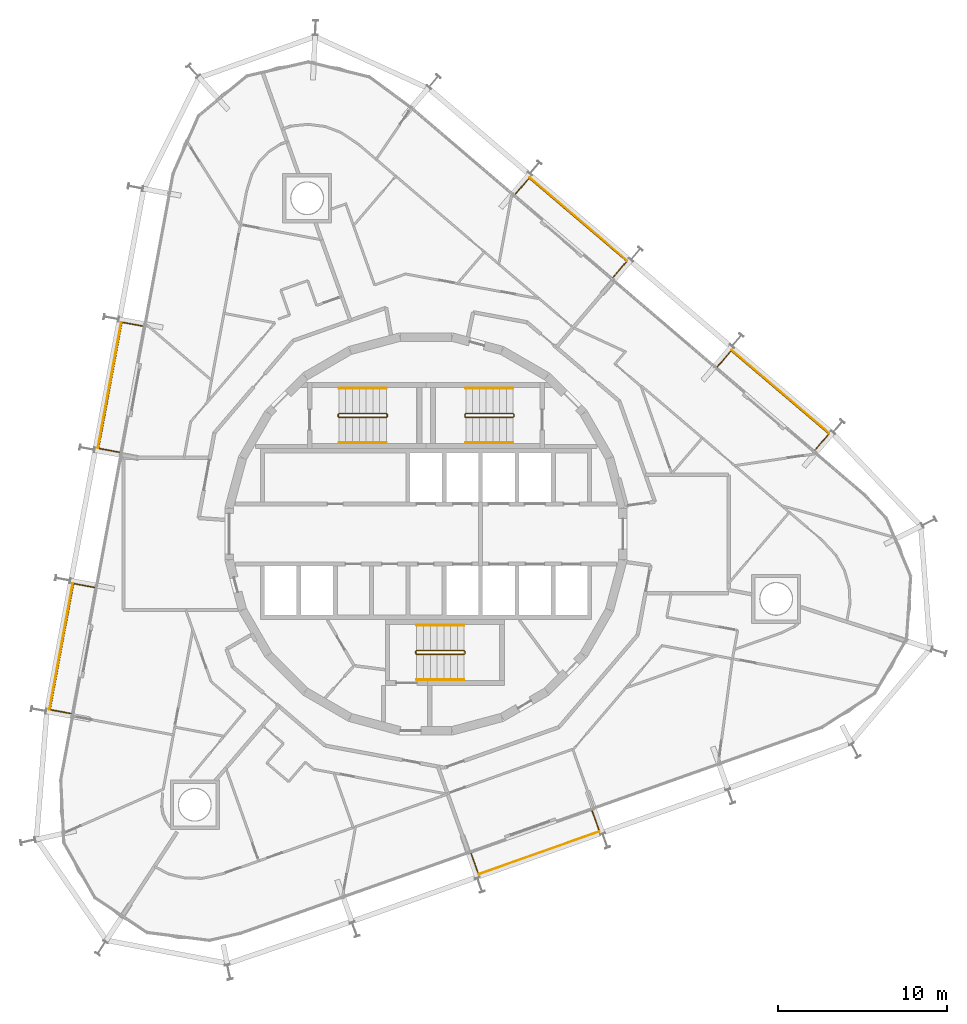
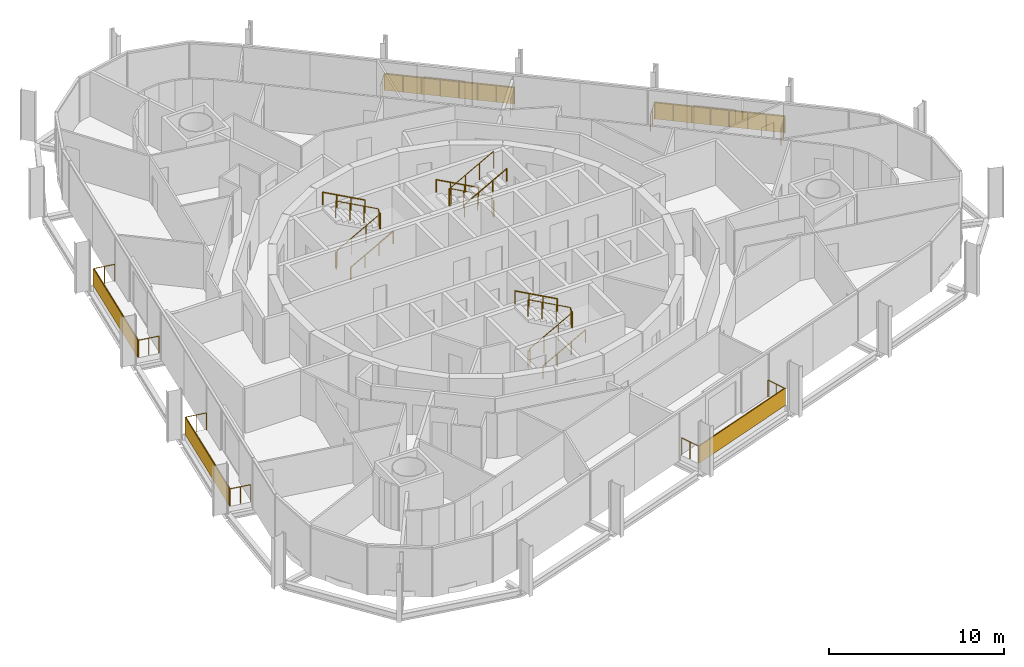
# One storey, part 17 of 17: 14 railings, 5 shading devices.
"""IFC4 building model written with IfcOpenShell, lengths in metres."""

import ifcopenshell
import ifcopenshell.guid

model = None  # the IFC model being written
_history = None  # IfcOwnerHistory: only IFC2X3 demands one
_inside = {}  # id of a spatial element -> (the spatial element, [elements in it])
_under = {}  # id of a project, library or spatial element -> (it, [spatial elements below it])
_declared = {}  # id of a project -> (the project, [libraries it declares])
_typed = {}  # id of a type object -> (the type object, [elements of that type])
_made_of = {}  # id of a material, layer set ... -> (it, [elements and type objects made of it])


def new_model(schema):
    """Start an empty IFC model of exactly this schema.

    Asked for "IFC4X3", IfcOpenShell would pick the latest addendum, in which some entities
    have other attributes; the version numbers below select the first issue.
    IFC2X3 requires an IfcOwnerHistory on every rooted entity: one is made here for all.
    """
    global model, _history
    if schema == "IFC4X3":
        model = ifcopenshell.file(schema_version=(4, 3, 0, 0))
    else:
        model = ifcopenshell.file(schema=schema)
    _inside.clear()
    _under.clear()
    _declared.clear()
    _typed.clear()
    _made_of.clear()
    _history = None
    if model.schema == "IFC2X3":
        org = make("IfcOrganization", Name="unknown")
        user = make(
            "IfcPersonAndOrganization",
            ThePerson=make("IfcPerson", FamilyName="unknown"),
            TheOrganization=org,
        )
        app = make(
            "IfcApplication",
            ApplicationDeveloper=org,
            Version="unknown",
            ApplicationFullName="unknown",
            ApplicationIdentifier="unknown",
        )
        _history = make(
            "IfcOwnerHistory",
            OwningUser=user,
            OwningApplication=app,
            ChangeAction="ADDED",
            CreationDate=0,
        )
    return model


def make(cls, **values):
    """One entity of the class cls with the attributes given. An attribute that is None is left unset."""
    return model.create_entity(
        cls, **{name: value for name, value in values.items() if value is not None}
    )


def rooted(cls, **values):
    """An entity with a GlobalId (a new one), such as an element, a storey or a relation."""
    return make(cls, GlobalId=ifcopenshell.guid.new(), OwnerHistory=_history, **values)


def si_unit(unit_type, name, prefix=None):
    """IfcSIUnit, for example si_unit("LENGTHUNIT", "METRE", prefix="MILLI")."""
    return make("IfcSIUnit", UnitType=unit_type, Prefix=prefix, Name=name)


def assignment(units):
    """IfcUnitAssignment: the units of a project."""
    return None if units is None else make("IfcUnitAssignment", Units=units)


def point(xyz):
    """IfcCartesianPoint."""
    return None if xyz is None else make("IfcCartesianPoint", Coordinates=xyz)


def direction(xyz):
    """IfcDirection."""
    return None if xyz is None else make("IfcDirection", DirectionRatios=xyz)


def frame(location, z_axis=None, x_axis=None):
    """IfcAxis2Placement3D, a coordinate frame: its origin and axes. An axis left out is left unset."""
    return make(
        "IfcAxis2Placement3D",
        Location=point(location),
        Axis=direction(z_axis),
        RefDirection=direction(x_axis),
    )


def frame_2d(location, x_axis=None):
    """IfcAxis2Placement2D, a coordinate frame in the plane: its origin and x axis."""
    return make(
        "IfcAxis2Placement2D", Location=point(location), RefDirection=direction(x_axis)
    )


def origin():
    """The frame at (0, 0, 0) with its axes left unset."""
    return frame((0.0, 0.0, 0.0))


def origin_2d():
    """The frame at (0, 0) in the plane with its x axis left unset."""
    return frame_2d((0.0, 0.0))


def place(relative_to, where):
    """IfcLocalPlacement: puts the frame where relative to a parent placement (None: the world)."""
    return make(
        "IfcLocalPlacement", PlacementRelTo=relative_to, RelativePlacement=where
    )


def context(
    kind, dimensions, precision=None, world=None, true_north=None, identifier=None
):
    """IfcGeometricRepresentationContext, for example the 3D "Model" context."""
    return make(
        "IfcGeometricRepresentationContext",
        ContextIdentifier=identifier,
        ContextType=kind,
        CoordinateSpaceDimension=dimensions,
        Precision=precision,
        WorldCoordinateSystem=world,
        TrueNorth=true_north,
    )


def subcontext(parent, identifier, kind, view, scale=None):
    """IfcGeometricRepresentationSubContext, for example "Body" below "Model"."""
    return make(
        "IfcGeometricRepresentationSubContext",
        ContextIdentifier=identifier,
        ContextType=kind,
        ParentContext=parent,
        TargetScale=scale,
        TargetView=view,
    )


def project(units=None, contexts=None):
    """IfcProject with its units and contexts."""
    return rooted(
        "IfcProject",
        Name="project",
        RepresentationContexts=contexts,
        UnitsInContext=assignment(units),
    )


def spatial(cls, under=None, at=None, **own):
    """A site, building, storey or space (cls), placed at a placement, below another one or the project."""
    s = rooted(cls, ObjectPlacement=at, **own)
    if under is not None:
        _under.setdefault(under.id(), (under, []))[1].append(s)
    return s


def profile(cls, at=None, kind="AREA", **sizes):
    """A parametric profile (cls). Its sizes go by their IFC names, for example OverallWidth=200.0."""
    return make(cls, ProfileType=kind, Position=at, **sizes)


def rectangle(**sizes):
    """IfcRectangleProfileDef."""
    return profile("IfcRectangleProfileDef", **sizes)


def circle(**sizes):
    """IfcCircleProfileDef."""
    return profile("IfcCircleProfileDef", **sizes)


def extrude(swept, where, along, depth):
    """IfcExtrudedAreaSolid: the profile swept, set in the frame where, extruded along a direction by depth."""
    return make(
        "IfcExtrudedAreaSolid",
        SweptArea=swept,
        Position=where,
        ExtrudedDirection=direction(along),
        Depth=depth,
    )


def shape(context_of_items, identifier, shape_type, items):
    """IfcShapeRepresentation: the items that make up one representation, for example the "Body"."""
    return make(
        "IfcShapeRepresentation",
        ContextOfItems=context_of_items,
        RepresentationIdentifier=identifier,
        RepresentationType=shape_type,
        Items=items,
    )


def material(Name=None, Category=None):
    """IfcMaterial."""
    return make("IfcMaterial", Name=Name, Category=Category)


def layer(
    of_material, thickness, ventilated=None, Name=None, Category=None, Priority=None
):
    """IfcMaterialLayer: one layer of a wall or slab, of a material (None: an air gap)."""
    return make(
        "IfcMaterialLayer",
        Material=of_material,
        LayerThickness=thickness,
        IsVentilated=ventilated,
        Name=Name,
        Category=Category,
        Priority=Priority,
    )


def layer_set(layers, Name=None):
    """IfcMaterialLayerSet."""
    return make("IfcMaterialLayerSet", MaterialLayers=layers, LayerSetName=Name)


def made_of(thing, what):
    """Note that an element or type object is made of a material, layer set ...; save() writes the relation."""
    if what is not None:
        _made_of.setdefault(what.id(), (what, []))[1].append(thing)
    return thing


def type_object(cls, material=None, **own):
    """A type object (cls), such as IfcWallType, which elements share."""
    return made_of(rooted(cls, **own), material)


def element(
    cls,
    number,
    at=None,
    inside=None,
    cuts=None,
    type_object=None,
    material=None,
    context=None,
    identifier="Body",
    shape_type=None,
    held_by="IfcProductDefinitionShape",
    body=None,
    shapes=None,
    **own,
):
    """One element of the class cls, such as IfcWall. Its Tag is "e" and its number.

    at: its placement. inside: the storey or other place that contains it. cuts: it is an
    opening in that element (IfcRelVoidsElement). A single representation is given by context,
    identifier, shape_type and body (its items); several are given by shapes. held_by: the class
    of the entity that holds the representations. save() writes the other relations.
    """
    e = rooted(cls, Tag="e%d" % number, ObjectPlacement=at, **own)
    if body is not None:
        shapes = [shape(context, identifier, shape_type, body)]
    if shapes is not None:
        e.Representation = make(held_by, Representations=shapes)
    if inside is not None:
        _inside.setdefault(inside.id(), (inside, []))[1].append(e)
    if cuts is not None:
        rooted(
            "IfcRelVoidsElement", RelatingBuildingElement=cuts, RelatedOpeningElement=e
        )
    if type_object is not None:
        _typed.setdefault(type_object.id(), (type_object, []))[1].append(e)
    return made_of(e, material)


def aggregate(whole, parts):
    """IfcRelAggregates: a whole, such as a stair, and the parts it consists of."""
    return rooted("IfcRelAggregates", RelatingObject=whole, RelatedObjects=parts)


def save(model, path):
    """Write the relations noted so far, then the file.

    IfcRelAggregates (storeys below a building ...), IfcRelContainedInSpatialStructure (elements
    in a storey), IfcRelDefinesByType, IfcRelAssociatesMaterial and IfcRelDeclares: one each for
    every whole, place, type object, material and project.
    """
    for whole, parts in _under.values():
        aggregate(whole, parts)
    for where, things in _inside.values():
        rooted(
            "IfcRelContainedInSpatialStructure",
            RelatedElements=things,
            RelatingStructure=where,
        )
    for kind, things in _typed.values():
        rooted("IfcRelDefinesByType", RelatedObjects=things, RelatingType=kind)
    for what, things in _made_of.values():
        rooted("IfcRelAssociatesMaterial", RelatedObjects=things, RelatingMaterial=what)
    for by, libraries in _declared.values():
        rooted("IfcRelDeclares", RelatingContext=by, RelatedDefinitions=libraries)
    model.write(path)


model = new_model("IFC4")

# Units and contexts
model_context = context("Model", 3, precision=1e-05, world=origin(), true_north=direction((0.0, 1.0)))
body_context = subcontext(model_context, "Body", "Model", "MODEL_VIEW")
ifc_project = project(units=[si_unit("LENGTHUNIT", "METRE"), si_unit("AREAUNIT", "SQUARE_METRE"), si_unit("VOLUMEUNIT", "CUBIC_METRE"), si_unit("PLANEANGLEUNIT", "RADIAN"), si_unit("MASSUNIT", "GRAM", prefix="KILO")], contexts=[model_context])

# Site, building, storey
site_placement = place(None, origin())
site = spatial("IfcSite", under=ifc_project, at=site_placement, CompositionType="ELEMENT")
building_placement = place(site_placement, origin())
building = spatial("IfcBuilding", under=site, at=building_placement, Name="Spindle Arch Residences", CompositionType="ELEMENT")
storey_placement = place(building_placement, frame((0.0, 0.0, 155.199951171875)))
storey = spatial("IfcBuildingStorey", under=building, at=storey_placement, Name="L38", CompositionType="ELEMENT", Elevation=155.199951171875)

# Railings
ifc_material_1 = material(Name="Bronze anodised aluminium guard with glass infill", Category="aluminium")
railing_type_1 = type_object("IfcRailingType", Name="Balcony guard 1200", PredefinedType="GUARDRAIL", material=ifc_material_1)
railing_1_placement = place(storey_placement, frame((23.014404296875, 4.966064453125, 0.0)))
element("IfcRailing", 1, at=railing_1_placement, inside=storey, type_object=railing_type_1, Name="Guard L38 bay 6", PredefinedType="GUARDRAIL", context=body_context, shape_type="SweptSolid", body=[
    extrude(circle(Radius=0.02392578125, at=origin_2d()), frame((0.0, 0.0, 1.17578125), z_axis=(0.64956818112, 0.760303346091, 0.0), x_axis=(-0.760303346091, 0.64956818112, 0.0)), (0.0, 0.0, 1.0), 1.25),
    extrude(circle(Radius=0.02392578125, at=origin_2d()), frame((0.81201171875, 0.950439453125, 1.17578125), z_axis=(-0.760411072194, 0.64944206923, 0.0), x_axis=(-0.64944206923, -0.760411072194, 0.0)), (0.0, 0.0, 1.0), 7.59033203125),
    extrude(circle(Radius=0.02392578125, at=origin_2d()), frame((-4.959716796875, 5.8798828125, 1.17578125), z_axis=(-0.64945526422, -0.760399802589, 0.0), x_axis=(0.760399802589, -0.64945526422, 0.0)), (0.0, 0.0, 1.0), 1.25),
    extrude(circle(Radius=0.02099609375, at=origin_2d()), origin(), (0.0, 0.0, 1.0), 1.15185546875),
    extrude(circle(Radius=0.02099609375, at=origin_2d()), frame((0.406005859375, 0.47509765625, 0.0)), (0.0, 0.0, 1.0), 1.15185546875),
    extrude(circle(Radius=0.02099609375, at=origin_2d()), frame((0.81201171875, 0.950439453125, 0.0)), (0.0, 0.0, 1.0), 1.15185546875),
    extrude(circle(Radius=0.02099609375, at=origin_2d()), frame((-0.012451171875, 1.654541015625, 0.0)), (0.0, 0.0, 1.0), 1.15185546875),
    extrude(circle(Radius=0.02099609375, at=origin_2d()), frame((-0.837158203125, 2.35888671875, 0.0)), (0.0, 0.0, 1.0), 1.15185546875),
    extrude(circle(Radius=0.02099609375, at=origin_2d()), frame((-1.66162109375, 3.06298828125, 0.0)), (0.0, 0.0, 1.0), 1.15185546875),
    extrude(circle(Radius=0.02099609375, at=origin_2d()), frame((-2.486083984375, 3.767333984375, 0.0)), (0.0, 0.0, 1.0), 1.15185546875),
    extrude(circle(Radius=0.02099609375, at=origin_2d()), frame((-3.310546875, 4.471435546875, 0.0)), (0.0, 0.0, 1.0), 1.15185546875),
    extrude(circle(Radius=0.02099609375, at=origin_2d()), frame((-4.13525390625, 5.17578125, 0.0)), (0.0, 0.0, 1.0), 1.15185546875),
    extrude(circle(Radius=0.02099609375, at=origin_2d()), frame((-4.959716796875, 5.8798828125, 0.0)), (0.0, 0.0, 1.0), 1.15185546875),
    extrude(circle(Radius=0.02099609375, at=origin_2d()), frame((-5.36572265625, 5.40478515625, 0.0)), (0.0, 0.0, 1.0), 1.15185546875),
    extrude(circle(Radius=0.02099609375, at=origin_2d()), frame((-5.771484375, 4.929443359375, 0.0)), (0.0, 0.0, 1.0), 1.15185546875),
])
railing_2_placement = place(storey_placement, frame((11.060791015625, 15.175537109375, 0.0)))
element("IfcRailing", 2, at=railing_2_placement, inside=storey, type_object=railing_type_1, Name="Guard L38 bay 8", PredefinedType="GUARDRAIL", context=body_context, shape_type="SweptSolid", body=[
    extrude(circle(Radius=0.02392578125, at=origin_2d()), frame((0.0, 0.0, 1.17578125), z_axis=(0.64945526422, 0.760399802589, 0.0), x_axis=(-0.760399802589, 0.64945526422, 0.0)), (0.0, 0.0, 1.0), 1.25),
    extrude(circle(Radius=0.02392578125, at=origin_2d()), frame((0.811767578125, 0.950439453125, 1.17578125), z_axis=(-0.760397505333, 0.649457953899, 0.0), x_axis=(-0.649457953899, -0.760397505333, 0.0)), (0.0, 0.0, 1.0), 7.590087890625),
    extrude(circle(Radius=0.02392578125, at=origin_2d()), frame((-4.959716796875, 5.8798828125, 1.17578125), z_axis=(-0.64945526422, -0.760399802589, 0.0), x_axis=(0.760399802589, -0.64945526422, 0.0)), (0.0, 0.0, 1.0), 1.25),
    extrude(circle(Radius=0.02099609375, at=origin_2d()), origin(), (0.0, 0.0, 1.0), 1.15185546875),
    extrude(circle(Radius=0.02099609375, at=origin_2d()), frame((0.40576171875, 0.47509765625, 0.0)), (0.0, 0.0, 1.0), 1.15185546875),
    extrude(circle(Radius=0.02099609375, at=origin_2d()), frame((0.811767578125, 0.950439453125, 0.0)), (0.0, 0.0, 1.0), 1.15185546875),
    extrude(circle(Radius=0.02099609375, at=origin_2d()), frame((-0.0126953125, 1.654541015625, 0.0)), (0.0, 0.0, 1.0), 1.15185546875),
    extrude(circle(Radius=0.02099609375, at=origin_2d()), frame((-0.837158203125, 2.35888671875, 0.0)), (0.0, 0.0, 1.0), 1.15185546875),
    extrude(circle(Radius=0.02099609375, at=origin_2d()), frame((-1.66162109375, 3.06298828125, 0.0)), (0.0, 0.0, 1.0), 1.15185546875),
    extrude(circle(Radius=0.02099609375, at=origin_2d()), frame((-2.486328125, 3.767333984375, 0.0)), (0.0, 0.0, 1.0), 1.15185546875),
    extrude(circle(Radius=0.02099609375, at=origin_2d()), frame((-3.310791015625, 4.471435546875, 0.0)), (0.0, 0.0, 1.0), 1.15185546875),
    extrude(circle(Radius=0.02099609375, at=origin_2d()), frame((-4.13525390625, 5.17578125, 0.0)), (0.0, 0.0, 1.0), 1.15185546875),
    extrude(circle(Radius=0.02099609375, at=origin_2d()), frame((-4.959716796875, 5.8798828125, 0.0)), (0.0, 0.0, 1.0), 1.15185546875),
    extrude(circle(Radius=0.02099609375, at=origin_2d()), frame((-5.36572265625, 5.40478515625, 0.0)), (0.0, 0.0, 1.0), 1.15185546875),
    extrude(circle(Radius=0.02099609375, at=origin_2d()), frame((-5.771484375, 4.929443359375, 0.0)), (0.0, 0.0, 1.0), 1.15185546875),
])
railing_3_placement = place(storey_placement, frame((-16.762939453125, 12.2958984375, 0.0)))
element("IfcRailing", 3, at=railing_3_placement, inside=storey, type_object=railing_type_1, Name="Guard L38 bay 14", PredefinedType="GUARDRAIL", context=body_context, shape_type="SweptSolid", body=[
    extrude(circle(Radius=0.02392578125, at=origin_2d()), frame((0.0, 0.0, 1.17578125), z_axis=(-0.983254793894, 0.182236138797, 0.0), x_axis=(-0.182236138797, -0.983254793894, 0.0)), (0.0, 0.0, 1.0), 1.25),
    extrude(circle(Radius=0.02392578125, at=origin_2d()), frame((-1.22900390625, 0.227783203125, 1.17578125), z_axis=(-0.18224705418, -0.983252770778, 0.0), x_axis=(0.983252770778, -0.18224705418, 0.0)), (0.0, 0.0, 1.0), 7.59033203125),
    extrude(circle(Radius=0.02392578125, at=origin_2d()), frame((-2.6123046875, -7.2353515625, 1.17578125), z_axis=(0.983261278697, -0.182201146579, 0.0), x_axis=(0.182201146579, 0.983261278697, 0.0)), (0.0, 0.0, 1.0), 1.250244140625),
    extrude(circle(Radius=0.02099609375, at=origin_2d()), origin(), (0.0, 0.0, 1.0), 1.15185546875),
    extrude(circle(Radius=0.02099609375, at=origin_2d()), frame((-0.614501953125, 0.11376953125, 0.0)), (0.0, 0.0, 1.0), 1.15185546875),
    extrude(circle(Radius=0.02099609375, at=origin_2d()), frame((-1.22900390625, 0.227783203125, 0.0)), (0.0, 0.0, 1.0), 1.15185546875),
    extrude(circle(Radius=0.02099609375, at=origin_2d()), frame((-1.426513671875, -0.83837890625, 0.0)), (0.0, 0.0, 1.0), 1.15185546875),
    extrude(circle(Radius=0.02099609375, at=origin_2d()), frame((-1.624267578125, -1.904541015625, 0.0)), (0.0, 0.0, 1.0), 1.15185546875),
    extrude(circle(Radius=0.02099609375, at=origin_2d()), frame((-1.82177734375, -2.970703125, 0.0)), (0.0, 0.0, 1.0), 1.15185546875),
    extrude(circle(Radius=0.02099609375, at=origin_2d()), frame((-2.01953125, -4.036865234375, 0.0)), (0.0, 0.0, 1.0), 1.15185546875),
    extrude(circle(Radius=0.02099609375, at=origin_2d()), frame((-2.217041015625, -5.10302734375, 0.0)), (0.0, 0.0, 1.0), 1.15185546875),
    extrude(circle(Radius=0.02099609375, at=origin_2d()), frame((-2.414794921875, -6.169189453125, 0.0)), (0.0, 0.0, 1.0), 1.15185546875),
    extrude(circle(Radius=0.02099609375, at=origin_2d()), frame((-2.6123046875, -7.2353515625, 0.0)), (0.0, 0.0, 1.0), 1.15185546875),
    extrude(circle(Radius=0.02099609375, at=origin_2d()), frame((-1.99755859375, -7.34912109375, 0.0)), (0.0, 0.0, 1.0), 1.15185546875),
    extrude(circle(Radius=0.02099609375, at=origin_2d()), frame((-1.383056640625, -7.463134765625, 0.0)), (0.0, 0.0, 1.0), 1.15185546875),
])
railing_4_placement = place(storey_placement, frame((-19.627685546875, -3.1611328125, 0.0)))
element("IfcRailing", 4, at=railing_4_placement, inside=storey, type_object=railing_type_1, Name="Guard L38 bay 16", PredefinedType="GUARDRAIL", context=body_context, shape_type="SweptSolid", body=[
    extrude(circle(Radius=0.02392578125, at=origin_2d()), frame((0.0, 0.0, 1.17578125), z_axis=(-0.983254793894, 0.182236138797, 0.0), x_axis=(-0.182236138797, -0.983254793894, 0.0)), (0.0, 0.0, 1.0), 1.25),
    extrude(circle(Radius=0.02392578125, at=origin_2d()), frame((-1.22900390625, 0.227783203125, 1.17578125), z_axis=(-0.182252818169, -0.983251702398, 0.0), x_axis=(0.983251702398, -0.182252818169, 0.0)), (0.0, 0.0, 1.0), 7.590087890625),
    extrude(circle(Radius=0.02392578125, at=origin_2d()), frame((-2.6123046875, -7.235107421875, 1.17578125), z_axis=(0.983254793894, -0.182236138797, 0.0), x_axis=(0.182236138797, 0.983254793894, 0.0)), (0.0, 0.0, 1.0), 1.25),
    extrude(circle(Radius=0.02099609375, at=origin_2d()), origin(), (0.0, 0.0, 1.0), 1.15185546875),
    extrude(circle(Radius=0.02099609375, at=origin_2d()), frame((-0.614501953125, 0.11376953125, 0.0)), (0.0, 0.0, 1.0), 1.15185546875),
    extrude(circle(Radius=0.02099609375, at=origin_2d()), frame((-1.22900390625, 0.227783203125, 0.0)), (0.0, 0.0, 1.0), 1.15185546875),
    extrude(circle(Radius=0.02099609375, at=origin_2d()), frame((-1.426513671875, -0.83837890625, 0.0)), (0.0, 0.0, 1.0), 1.15185546875),
    extrude(circle(Radius=0.02099609375, at=origin_2d()), frame((-1.624267578125, -1.904541015625, 0.0)), (0.0, 0.0, 1.0), 1.15185546875),
    extrude(circle(Radius=0.02099609375, at=origin_2d()), frame((-1.82177734375, -2.970703125, 0.0)), (0.0, 0.0, 1.0), 1.15185546875),
    extrude(circle(Radius=0.02099609375, at=origin_2d()), frame((-2.01953125, -4.03662109375, 0.0)), (0.0, 0.0, 1.0), 1.15185546875),
    extrude(circle(Radius=0.02099609375, at=origin_2d()), frame((-2.217041015625, -5.102783203125, 0.0)), (0.0, 0.0, 1.0), 1.15185546875),
    extrude(circle(Radius=0.02099609375, at=origin_2d()), frame((-2.414794921875, -6.1689453125, 0.0)), (0.0, 0.0, 1.0), 1.15185546875),
    extrude(circle(Radius=0.02099609375, at=origin_2d()), frame((-2.6123046875, -7.235107421875, 0.0)), (0.0, 0.0, 1.0), 1.15185546875),
    extrude(circle(Radius=0.02099609375, at=origin_2d()), frame((-1.997802734375, -7.34912109375, 0.0)), (0.0, 0.0, 1.0), 1.15185546875),
    extrude(circle(Radius=0.02099609375, at=origin_2d()), frame((-1.38330078125, -7.462890625, 0.0)), (0.0, 0.0, 1.0), 1.15185546875),
])
railing_5_placement = place(storey_placement, frame((2.672607421875, -18.915771484375, 0.0)))
element("IfcRailing", 5, at=railing_5_placement, inside=storey, type_object=railing_type_1, Name="Guard L38 bay 22", PredefinedType="GUARDRAIL", context=body_context, shape_type="SweptSolid", body=[
    extrude(circle(Radius=0.02392578125, at=origin_2d()), frame((0.0, 0.0, 1.17578125), z_axis=(0.333749533427, -0.942661789263, 0.0), x_axis=(0.942661789263, 0.333749533427, 0.0)), (0.0, 0.0, 1.0), 1.250244140625),
    extrude(circle(Radius=0.02392578125, at=origin_2d()), frame((0.417236328125, -1.178466796875, 1.17578125), z_axis=(0.942635871189, 0.333822728927, 0.0), x_axis=(-0.333822728927, 0.942635871189, 0.0)), (0.0, 0.0, 1.0), 7.58984375),
    extrude(circle(Radius=0.02392578125, at=origin_2d()), frame((7.57177734375, 1.355224609375, 1.17578125), z_axis=(-0.333810984592, 0.942640030216, 0.0), x_axis=(-0.942640030216, -0.333810984592, 0.0)), (0.0, 0.0, 1.0), 1.25),
    extrude(circle(Radius=0.02099609375, at=origin_2d()), origin(), (0.0, 0.0, 1.0), 1.15185546875),
    extrude(circle(Radius=0.02099609375, at=origin_2d()), frame((0.20849609375, -0.58935546875, 0.0)), (0.0, 0.0, 1.0), 1.15185546875),
    extrude(circle(Radius=0.02099609375, at=origin_2d()), frame((0.417236328125, -1.178466796875, 0.0)), (0.0, 0.0, 1.0), 1.15185546875),
    extrude(circle(Radius=0.02099609375, at=origin_2d()), frame((1.439208984375, -0.81640625, 0.0)), (0.0, 0.0, 1.0), 1.15185546875),
    extrude(circle(Radius=0.02099609375, at=origin_2d()), frame((2.46142578125, -0.45458984375, 0.0)), (0.0, 0.0, 1.0), 1.15185546875),
    extrude(circle(Radius=0.02099609375, at=origin_2d()), frame((3.4833984375, -0.092529296875, 0.0)), (0.0, 0.0, 1.0), 1.15185546875),
    extrude(circle(Radius=0.02099609375, at=origin_2d()), frame((4.505615234375, 0.269287109375, 0.0)), (0.0, 0.0, 1.0), 1.15185546875),
    extrude(circle(Radius=0.02099609375, at=origin_2d()), frame((5.527587890625, 0.63134765625, 0.0)), (0.0, 0.0, 1.0), 1.15185546875),
    extrude(circle(Radius=0.02099609375, at=origin_2d()), frame((6.5498046875, 0.9931640625, 0.0)), (0.0, 0.0, 1.0), 1.15185546875),
    extrude(circle(Radius=0.02099609375, at=origin_2d()), frame((7.57177734375, 1.355224609375, 0.0)), (0.0, 0.0, 1.0), 1.15185546875),
    extrude(circle(Radius=0.02099609375, at=origin_2d()), frame((7.36328125, 1.9443359375, 0.0)), (0.0, 0.0, 1.0), 1.15185546875),
    extrude(circle(Radius=0.02099609375, at=origin_2d()), frame((7.154541015625, 2.533447265625, 0.0)), (0.0, 0.0, 1.0), 1.15185546875),
])

# Shading devices
ifc_material_2 = material(Name="Bronze perforated cobogo screen")
ifc_layer = layer(ifc_material_2, 0.0390625)
ifc_layer_set = layer_set([ifc_layer], Name="Cobogo screen 1200")
shading_device_type = type_object("IfcShadingDeviceType", Name="Cobogo screen 1200", PredefinedType="USERDEFINED", material=ifc_layer_set)
for number, where, z_axis, x_axis, name in (
    (6, (20.966796875, 8.412109375, 0.0), (0.0, 0.0, 1.0), (-0.7604059656, 0.64944804833, 0.0), "Cobogo screen L38 bay 6"),
    (7, (9.01318359375, 18.62158203125, 0.0), (0.0, 0.0, 1.0), (-0.7604059656, 0.64944804833, 0.0), "Cobogo screen L38 bay 8"),
    (8, (-18.723388671875, 8.799560546875, 0.0), (0.0, 0.0, 1.0), (-0.182235525492, -0.983254907564, 0.0), "Cobogo screen L38 bay 14"),
    (9, (-21.588134765625, -6.657470703125, 0.0), (0.0, 0.0, 1.0), (-0.182235525492, -0.983254907564, 0.0), "Cobogo screen L38 bay 16"),
    (10, (6.6806640625, -18.865478515625, 0.0), (0.0, 0.0, 1.0), (0.942641491092, 0.333806859234, 0.0), "Cobogo screen L38 bay 22"),
):
    element("IfcShadingDevice", number, at=place(storey_placement, frame(where, z_axis=z_axis, x_axis=x_axis)), inside=storey, type_object=shading_device_type, Name=name, ObjectType="SCREEN", PredefinedType="USERDEFINED", context=body_context, shape_type="SweptSolid", body=[
        extrude(rectangle(XDim=7.590087890625, YDim=0.0390625, at=origin_2d()), origin(), (0.0, 0.0, 1.0), 1.199951171875),
    ])

# Railings
ifc_material_3 = material(Name="Steel, painted", Category="steel")
railing_type_2 = type_object("IfcRailingType", Name="Stair guard 1100", PredefinedType="GUARDRAIL", material=ifc_material_3)
railing_6_placement = place(storey_placement, frame((5.14990234375, 6.89990234375, 3.5)))
element("IfcRailing", 11, at=railing_6_placement, inside=storey, type_object=railing_type_2, Name="L38 ST1 stair guard 1", PredefinedType="GUARDRAIL", context=body_context, shape_type="SweptSolid", body=[
    extrude(circle(Radius=0.02392578125, at=origin_2d()), frame((0.0, 0.0, 1.17578125), z_axis=(-0.877357048833, 0.0, -0.479838106931), x_axis=(0.0, -1.0, 0.0)), (0.0, 0.0, 1.0), 3.191162109375),
    extrude(circle(Radius=0.02392578125, at=origin_2d()), frame((-2.7998046875, 0.0, -0.35546875), z_axis=(-0.217683172539, 0.217683172539, -0.951434744366), x_axis=(-0.707106781187, -0.707106781187, 0.0)), (0.0, 0.0, 1.0), 0.22998046875),
    extrude(circle(Radius=0.02392578125, at=origin_2d()), frame((-2.849853515625, 0.050048828125, -0.57421875), z_axis=(0.0, 1.0, 0.0), x_axis=(-1.0, 0.0, 0.0)), (0.0, 0.0, 1.0), 0.1201171875),
    extrude(circle(Radius=0.02392578125, at=origin_2d()), frame((-2.849853515625, 0.170166015625, -0.57421875), z_axis=(0.707106781187, 0.707106781187, 0.0), x_axis=(-0.707106781187, 0.707106781187, 0.0)), (0.0, 0.0, 1.0), 0.07080078125),
    extrude(circle(Radius=0.02392578125, at=origin_2d()), frame((-2.7998046875, 0.22021484375, -0.57421875), z_axis=(0.877357048833, 0.0, -0.479838106931), x_axis=(0.0, 1.0, 0.0)), (0.0, 0.0, 1.0), 3.191162109375),
    extrude(circle(Radius=0.02392578125, at=origin_2d()), frame((0.0, 0.22021484375, -2.10546875), z_axis=(0.217683172539, -0.217683172539, -0.951434744366), x_axis=(0.707106781187, 0.707106781187, 0.0)), (0.0, 0.0, 1.0), 0.22998046875),
    extrude(circle(Radius=0.02392578125, at=origin_2d()), frame((0.050048828125, 0.170166015625, -2.32421875), z_axis=(0.0, -1.0, 0.0), x_axis=(1.0, 0.0, 0.0)), (0.0, 0.0, 1.0), 0.1201171875),
    extrude(circle(Radius=0.02099609375, at=origin_2d()), origin(), (0.0, 0.0, 1.0), 1.15185546875),
    extrude(circle(Radius=0.02099609375, at=origin_2d()), frame((-0.933349609375, 0.0, -0.510498046875)), (0.0, 0.0, 1.0), 1.15185546875),
    extrude(circle(Radius=0.02099609375, at=origin_2d()), frame((-1.866455078125, 0.0, -1.020751953125)), (0.0, 0.0, 1.0), 1.15185546875),
    extrude(circle(Radius=0.02099609375, at=origin_2d()), frame((-2.7998046875, 0.0, -1.53125)), (0.0, 0.0, 1.0), 1.15185546875),
    extrude(circle(Radius=0.02099609375, at=origin_2d()), frame((-2.849853515625, 0.050048828125, -1.75)), (0.0, 0.0, 1.0), 1.15185546875),
    extrude(circle(Radius=0.02099609375, at=origin_2d()), frame((-2.849853515625, 0.170166015625, -1.75)), (0.0, 0.0, 1.0), 1.15185546875),
    extrude(circle(Radius=0.02099609375, at=origin_2d()), frame((-2.7998046875, 0.22021484375, -1.75)), (0.0, 0.0, 1.0), 1.15185546875),
    extrude(circle(Radius=0.02099609375, at=origin_2d()), frame((-1.866455078125, 0.22021484375, -2.260498046875)), (0.0, 0.0, 1.0), 1.15185546875),
    extrude(circle(Radius=0.02099609375, at=origin_2d()), frame((-0.933349609375, 0.22021484375, -2.770751953125)), (0.0, 0.0, 1.0), 1.15185546875),
    extrude(circle(Radius=0.02099609375, at=origin_2d()), frame((0.0, 0.22021484375, -3.28125)), (0.0, 0.0, 1.0), 1.15185546875),
    extrude(circle(Radius=0.02099609375, at=origin_2d()), frame((0.050048828125, 0.170166015625, -3.5)), (0.0, 0.0, 1.0), 1.15185546875),
    extrude(circle(Radius=0.02099609375, at=origin_2d()), frame((0.050048828125, 0.050048828125, -3.5)), (0.0, 0.0, 1.0), 1.15185546875),
])
railing_7_placement = place(storey_placement, frame((-5.14990234375, 7.1201171875, 3.5)))
element("IfcRailing", 12, at=railing_7_placement, inside=storey, type_object=railing_type_2, Name="L38 ST2 stair guard 1", PredefinedType="GUARDRAIL", context=body_context, shape_type="SweptSolid", body=[
    extrude(circle(Radius=0.02392578125, at=origin_2d()), frame((0.0, 0.0, 1.17578125), z_axis=(0.877357048833, 0.0, -0.479838106931), x_axis=(0.0, 1.0, 0.0)), (0.0, 0.0, 1.0), 3.191162109375),
    extrude(circle(Radius=0.02392578125, at=origin_2d()), frame((2.7998046875, 0.0, -0.35546875), z_axis=(0.217683172539, -0.217683172539, -0.951434744366), x_axis=(0.707106781187, 0.707106781187, 0.0)), (0.0, 0.0, 1.0), 0.22998046875),
    extrude(circle(Radius=0.02392578125, at=origin_2d()), frame((2.849853515625, -0.050048828125, -0.57421875), z_axis=(0.0, -1.0, 0.0), x_axis=(1.0, 0.0, 0.0)), (0.0, 0.0, 1.0), 0.1201171875),
    extrude(circle(Radius=0.02392578125, at=origin_2d()), frame((2.849853515625, -0.170166015625, -0.57421875), z_axis=(-0.707106781187, -0.707106781187, 0.0), x_axis=(0.707106781187, -0.707106781187, 0.0)), (0.0, 0.0, 1.0), 0.07080078125),
    extrude(circle(Radius=0.02392578125, at=origin_2d()), frame((2.7998046875, -0.22021484375, -0.57421875), z_axis=(-0.877357048833, 0.0, -0.479838106931), x_axis=(0.0, -1.0, 0.0)), (0.0, 0.0, 1.0), 3.191162109375),
    extrude(circle(Radius=0.02392578125, at=origin_2d()), frame((0.0, -0.22021484375, -2.10546875), z_axis=(-0.217683172539, 0.217683172539, -0.951434744366), x_axis=(-0.707106781187, -0.707106781187, 0.0)), (0.0, 0.0, 1.0), 0.22998046875),
    extrude(circle(Radius=0.02392578125, at=origin_2d()), frame((-0.050048828125, -0.170166015625, -2.32421875), z_axis=(0.0, 1.0, 0.0), x_axis=(-1.0, 0.0, 0.0)), (0.0, 0.0, 1.0), 0.1201171875),
    extrude(circle(Radius=0.02099609375, at=origin_2d()), origin(), (0.0, 0.0, 1.0), 1.15185546875),
    extrude(circle(Radius=0.02099609375, at=origin_2d()), frame((0.933349609375, 0.0, -0.510498046875)), (0.0, 0.0, 1.0), 1.15185546875),
    extrude(circle(Radius=0.02099609375, at=origin_2d()), frame((1.866455078125, 0.0, -1.020751953125)), (0.0, 0.0, 1.0), 1.15185546875),
    extrude(circle(Radius=0.02099609375, at=origin_2d()), frame((2.7998046875, 0.0, -1.53125)), (0.0, 0.0, 1.0), 1.15185546875),
    extrude(circle(Radius=0.02099609375, at=origin_2d()), frame((2.849853515625, -0.050048828125, -1.75)), (0.0, 0.0, 1.0), 1.15185546875),
    extrude(circle(Radius=0.02099609375, at=origin_2d()), frame((2.849853515625, -0.170166015625, -1.75)), (0.0, 0.0, 1.0), 1.15185546875),
    extrude(circle(Radius=0.02099609375, at=origin_2d()), frame((2.7998046875, -0.22021484375, -1.75)), (0.0, 0.0, 1.0), 1.15185546875),
    extrude(circle(Radius=0.02099609375, at=origin_2d()), frame((1.866455078125, -0.22021484375, -2.260498046875)), (0.0, 0.0, 1.0), 1.15185546875),
    extrude(circle(Radius=0.02099609375, at=origin_2d()), frame((0.933349609375, -0.22021484375, -2.770751953125)), (0.0, 0.0, 1.0), 1.15185546875),
    extrude(circle(Radius=0.02099609375, at=origin_2d()), frame((0.0, -0.22021484375, -3.28125)), (0.0, 0.0, 1.0), 1.15185546875),
    extrude(circle(Radius=0.02099609375, at=origin_2d()), frame((-0.050048828125, -0.170166015625, -3.5)), (0.0, 0.0, 1.0), 1.15185546875),
    extrude(circle(Radius=0.02099609375, at=origin_2d()), frame((-0.050048828125, -0.050048828125, -3.5)), (0.0, 0.0, 1.0), 1.15185546875),
])
railing_8_placement = place(storey_placement, frame((-0.550048828125, -6.89990234375, 3.5)))
element("IfcRailing", 13, at=railing_8_placement, inside=storey, type_object=railing_type_2, Name="L38 ST3 stair guard 1", PredefinedType="GUARDRAIL", context=body_context, shape_type="SweptSolid", body=[
    extrude(circle(Radius=0.02392578125, at=origin_2d()), frame((0.0, 0.0, 1.17578125), z_axis=(0.877374661878, 0.0, -0.479805901063), x_axis=(0.0, 1.0, 0.0)), (0.0, 0.0, 1.0), 3.19140625),
    extrude(circle(Radius=0.02392578125, at=origin_2d()), frame((2.800048828125, 0.0, -0.35546875), z_axis=(0.217683172539, -0.217683172539, -0.951434744366), x_axis=(0.707106781187, 0.707106781187, 0.0)), (0.0, 0.0, 1.0), 0.22998046875),
    extrude(circle(Radius=0.02392578125, at=origin_2d()), frame((2.85009765625, -0.050048828125, -0.57421875), z_axis=(0.0, -1.0, 0.0), x_axis=(1.0, 0.0, 0.0)), (0.0, 0.0, 1.0), 0.1201171875),
    extrude(circle(Radius=0.02392578125, at=origin_2d()), frame((2.85009765625, -0.170166015625, -0.57421875), z_axis=(-0.707106781187, -0.707106781187, 0.0), x_axis=(0.707106781187, -0.707106781187, 0.0)), (0.0, 0.0, 1.0), 0.07080078125),
    extrude(circle(Radius=0.02392578125, at=origin_2d()), frame((2.800048828125, -0.22021484375, -0.57421875), z_axis=(-0.877374661878, 0.0, -0.479805901063), x_axis=(0.0, -1.0, 0.0)), (0.0, 0.0, 1.0), 3.19140625),
    extrude(circle(Radius=0.02392578125, at=origin_2d()), frame((0.0, -0.22021484375, -2.10546875), z_axis=(-0.217683172539, 0.217683172539, -0.951434744366), x_axis=(-0.707106781187, -0.707106781187, 0.0)), (0.0, 0.0, 1.0), 0.22998046875),
    extrude(circle(Radius=0.02392578125, at=origin_2d()), frame((-0.050048828125, -0.170166015625, -2.32421875), z_axis=(0.0, 1.0, 0.0), x_axis=(-1.0, 0.0, 0.0)), (0.0, 0.0, 1.0), 0.1201171875),
    extrude(circle(Radius=0.02099609375, at=origin_2d()), origin(), (0.0, 0.0, 1.0), 1.15185546875),
    extrude(circle(Radius=0.02099609375, at=origin_2d()), frame((0.933349609375, 0.0, -0.510498046875)), (0.0, 0.0, 1.0), 1.15185546875),
    extrude(circle(Radius=0.02099609375, at=origin_2d()), frame((1.86669921875, 0.0, -1.020751953125)), (0.0, 0.0, 1.0), 1.15185546875),
    extrude(circle(Radius=0.02099609375, at=origin_2d()), frame((2.800048828125, 0.0, -1.53125)), (0.0, 0.0, 1.0), 1.15185546875),
    extrude(circle(Radius=0.02099609375, at=origin_2d()), frame((2.85009765625, -0.050048828125, -1.75)), (0.0, 0.0, 1.0), 1.15185546875),
    extrude(circle(Radius=0.02099609375, at=origin_2d()), frame((2.85009765625, -0.170166015625, -1.75)), (0.0, 0.0, 1.0), 1.15185546875),
    extrude(circle(Radius=0.02099609375, at=origin_2d()), frame((2.800048828125, -0.22021484375, -1.75)), (0.0, 0.0, 1.0), 1.15185546875),
    extrude(circle(Radius=0.02099609375, at=origin_2d()), frame((1.86669921875, -0.22021484375, -2.260498046875)), (0.0, 0.0, 1.0), 1.15185546875),
    extrude(circle(Radius=0.02099609375, at=origin_2d()), frame((0.933349609375, -0.22021484375, -2.770751953125)), (0.0, 0.0, 1.0), 1.15185546875),
    extrude(circle(Radius=0.02099609375, at=origin_2d()), frame((0.0, -0.22021484375, -3.28125)), (0.0, 0.0, 1.0), 1.15185546875),
    extrude(circle(Radius=0.02099609375, at=origin_2d()), frame((-0.050048828125, -0.170166015625, -3.5)), (0.0, 0.0, 1.0), 1.15185546875),
    extrude(circle(Radius=0.02099609375, at=origin_2d()), frame((-0.050048828125, -0.050048828125, -3.5)), (0.0, 0.0, 1.0), 1.15185546875),
])
ifc_material_4 = material(Name="Steel, painted", Category="steel")
railing_type_3 = type_object("IfcRailingType", Name="Stair handrail 900", PredefinedType="HANDRAIL", material=ifc_material_4)
railing_9_placement = place(storey_placement, frame((5.14990234375, 8.6201171875, 0.21875)))
element("IfcRailing", 14, at=railing_9_placement, inside=storey, type_object=railing_type_3, Name="L38 ST1 stair handrail 1", PredefinedType="HANDRAIL", context=body_context, shape_type="SweptSolid", body=[
    extrude(circle(Radius=0.02392578125, at=origin_2d()), frame((0.0, 0.0, 0.8759765625), z_axis=(-0.877357048833, 0.0, 0.479838106931), x_axis=(0.0, -1.0, 0.0)), (0.0, 0.0, 1.0), 3.191162109375),
    extrude(circle(Radius=0.02099609375, at=origin_2d()), origin(), (0.0, 0.0, 1.0), 0.851806640625),
    extrude(circle(Radius=0.02099609375, at=origin_2d()), frame((-0.933349609375, 0.0, 0.510498046875)), (0.0, 0.0, 1.0), 0.851806640625),
    extrude(circle(Radius=0.02099609375, at=origin_2d()), frame((-1.866455078125, 0.0, 1.020751953125)), (0.0, 0.0, 1.0), 0.851806640625),
    extrude(circle(Radius=0.02099609375, at=origin_2d()), frame((-2.7998046875, 0.0, 1.53125)), (0.0, 0.0, 1.0), 0.851806640625),
])
for number, where, name in (
    (15, (2.35009765625, 5.39990234375, 1.96875), "L38 ST1 stair handrail 2"),
    (16, (-5.14990234375, 5.39990234375, 0.21875), "L38 ST2 stair handrail 1"),
):
    element("IfcRailing", number, at=place(storey_placement, frame(where)), inside=storey, type_object=railing_type_3, Name=name, PredefinedType="HANDRAIL", context=body_context, shape_type="SweptSolid", body=[
        extrude(circle(Radius=0.02392578125, at=origin_2d()), frame((0.0, 0.0, 0.8759765625), z_axis=(0.877357048833, 0.0, 0.479838106931), x_axis=(0.0, 1.0, 0.0)), (0.0, 0.0, 1.0), 3.191162109375),
        extrude(circle(Radius=0.02099609375, at=origin_2d()), origin(), (0.0, 0.0, 1.0), 0.851806640625),
        extrude(circle(Radius=0.02099609375, at=origin_2d()), frame((0.933349609375, 0.0, 0.510498046875)), (0.0, 0.0, 1.0), 0.851806640625),
        extrude(circle(Radius=0.02099609375, at=origin_2d()), frame((1.866455078125, 0.0, 1.020751953125)), (0.0, 0.0, 1.0), 0.851806640625),
        extrude(circle(Radius=0.02099609375, at=origin_2d()), frame((2.7998046875, 0.0, 1.53125)), (0.0, 0.0, 1.0), 0.851806640625),
    ])
railing_10_placement = place(storey_placement, frame((-2.35009765625, 8.6201171875, 1.96875)))
element("IfcRailing", 17, at=railing_10_placement, inside=storey, type_object=railing_type_3, Name="L38 ST2 stair handrail 2", PredefinedType="HANDRAIL", context=body_context, shape_type="SweptSolid", body=[
    extrude(circle(Radius=0.02392578125, at=origin_2d()), frame((0.0, 0.0, 0.8759765625), z_axis=(-0.877357048833, 0.0, 0.479838106931), x_axis=(0.0, -1.0, 0.0)), (0.0, 0.0, 1.0), 3.191162109375),
    extrude(circle(Radius=0.02099609375, at=origin_2d()), origin(), (0.0, 0.0, 1.0), 0.851806640625),
    extrude(circle(Radius=0.02099609375, at=origin_2d()), frame((-0.933349609375, 0.0, 0.510498046875)), (0.0, 0.0, 1.0), 0.851806640625),
    extrude(circle(Radius=0.02099609375, at=origin_2d()), frame((-1.866455078125, 0.0, 1.020751953125)), (0.0, 0.0, 1.0), 0.851806640625),
    extrude(circle(Radius=0.02099609375, at=origin_2d()), frame((-2.7998046875, 0.0, 1.53125)), (0.0, 0.0, 1.0), 0.851806640625),
])
railing_11_placement = place(storey_placement, frame((-0.550048828125, -8.6201171875, 0.21875)))
element("IfcRailing", 18, at=railing_11_placement, inside=storey, type_object=railing_type_3, Name="L38 ST3 stair handrail 1", PredefinedType="HANDRAIL", context=body_context, shape_type="SweptSolid", body=[
    extrude(circle(Radius=0.02392578125, at=origin_2d()), frame((0.0, 0.0, 0.8759765625), z_axis=(0.877374661878, 0.0, 0.479805901063), x_axis=(0.0, 1.0, 0.0)), (0.0, 0.0, 1.0), 3.19140625),
    extrude(circle(Radius=0.02099609375, at=origin_2d()), origin(), (0.0, 0.0, 1.0), 0.851806640625),
    extrude(circle(Radius=0.02099609375, at=origin_2d()), frame((0.933349609375, 0.0, 0.510498046875)), (0.0, 0.0, 1.0), 0.851806640625),
    extrude(circle(Radius=0.02099609375, at=origin_2d()), frame((1.86669921875, 0.0, 1.020751953125)), (0.0, 0.0, 1.0), 0.851806640625),
    extrude(circle(Radius=0.02099609375, at=origin_2d()), frame((2.800048828125, 0.0, 1.53125)), (0.0, 0.0, 1.0), 0.851806640625),
])
railing_12_placement = place(storey_placement, frame((2.25, -5.39990234375, 1.96875)))
element("IfcRailing", 19, at=railing_12_placement, inside=storey, type_object=railing_type_3, Name="L38 ST3 stair handrail 2", PredefinedType="HANDRAIL", context=body_context, shape_type="SweptSolid", body=[
    extrude(circle(Radius=0.02392578125, at=origin_2d()), frame((0.0, 0.0, 0.8759765625), z_axis=(-0.877374661878, 0.0, 0.479805901063), x_axis=(0.0, -1.0, 0.0)), (0.0, 0.0, 1.0), 3.19140625),
    extrude(circle(Radius=0.02099609375, at=origin_2d()), origin(), (0.0, 0.0, 1.0), 0.851806640625),
    extrude(circle(Radius=0.02099609375, at=origin_2d()), frame((-0.933349609375, 0.0, 0.510498046875)), (0.0, 0.0, 1.0), 0.851806640625),
    extrude(circle(Radius=0.02099609375, at=origin_2d()), frame((-1.86669921875, 0.0, 1.020751953125)), (0.0, 0.0, 1.0), 0.851806640625),
    extrude(circle(Radius=0.02099609375, at=origin_2d()), frame((-2.800048828125, 0.0, 1.53125)), (0.0, 0.0, 1.0), 0.851806640625),
])

save(model, "model.ifc")
